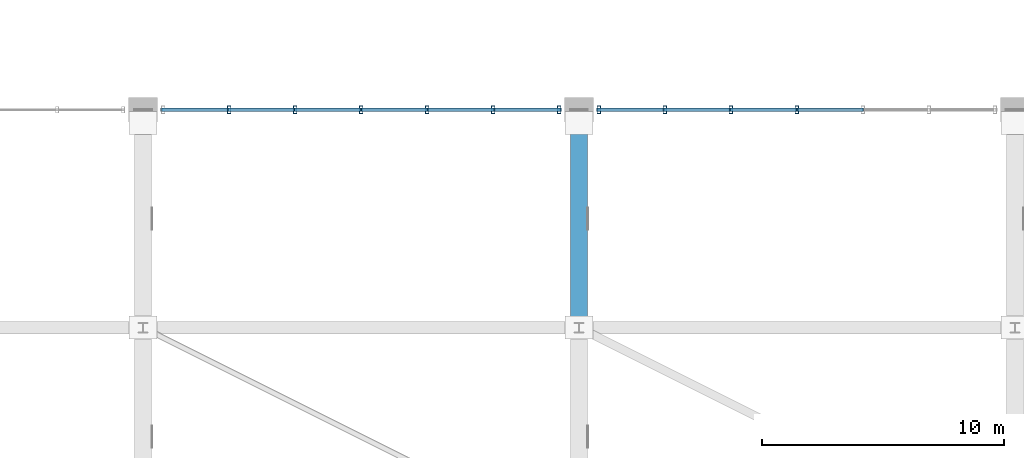
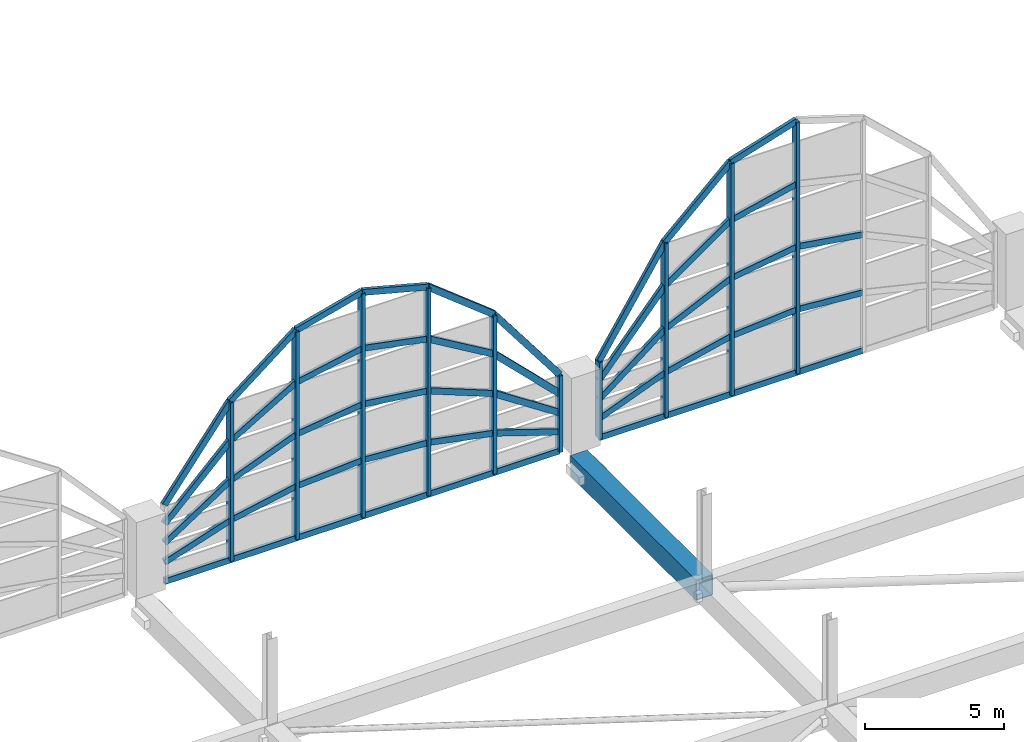
# One storey, part 44 of 116: 58 members, 1 beam, 2 elements without a shape of their own.
"""IFC4 building model written with IfcOpenShell, lengths in metres."""

from ifc_helpers import new_model, si_unit, direction, frame, origin, origin_2d, place, context, subcontext, project, spatial, hollow_rectangle, extrude, material, material_profile, profile_set, type_object, element, aggregate, save


model = new_model("IFC4")

# Units and contexts
model_context = context("Model", 3, precision=1e-05, world=origin(), true_north=direction((0.0, 1.0)))
body_context = subcontext(model_context, "Body", "Model", "MODEL_VIEW")
ifc_project = project(units=[si_unit("LENGTHUNIT", "METRE"), si_unit("AREAUNIT", "SQUARE_METRE"), si_unit("VOLUMEUNIT", "CUBIC_METRE"), si_unit("PLANEANGLEUNIT", "RADIAN"), si_unit("MASSUNIT", "GRAM", prefix="KILO")], contexts=[model_context])

# Site, building, storey
site_placement = place(None, origin())
site = spatial("IfcSite", under=ifc_project, at=site_placement, CompositionType="ELEMENT")
building_placement = place(site_placement, origin())
building = spatial("IfcBuilding", under=site, at=building_placement, Name="Chuanluo Vaults Station", CompositionType="ELEMENT")
storey_placement = place(building_placement, frame((0.0, 0.0, 10.800048828125)))
storey = spatial("IfcBuildingStorey", under=building, at=storey_placement, Name="L02", CompositionType="ELEMENT", Elevation=10.800048828125)

# Beam
ifc_material_1 = material(Name="Steel Q390C", Category="steel")
ifc_material_profile_1 = material_profile(ifc_material_1, hollow_rectangle(XDim=0.699951171875, YDim=0.89990234375, WallThickness=0.035888671875, at=origin_2d()))
ifc_profile_set_1 = profile_set([ifc_material_profile_1], Name="Steel Q390C")
beam_type = type_object("IfcBeamType", Name="BM-TT-TOP", PredefinedType="USERDEFINED", material=ifc_profile_set_1)
beam_placement = place(storey_placement, frame((36.0, 94.5, -0.85009765625), z_axis=(0.0, 1.0, 0.0), x_axis=(-1.0, 0.0, 0.0)))
element("IfcBeam", 1, at=beam_placement, inside=storey, type_object=beam_type, Name="Transfer truss TT-3 top chord 4", ObjectType="GIRDER", PredefinedType="USERDEFINED", context=body_context, shape_type="SweptSolid", body=[
    extrude(hollow_rectangle(XDim=0.699951171875, YDim=0.89990234375, WallThickness=0.035888671875, at=origin_2d()), origin(), (0.0, 0.0, 1.0), 9.0),
])

# Curtain wall, members
ifc_material_2 = material(Name="Anodised aluminium 6063-T6", Category="aluminium")
curtain_wall_type_1 = type_object("IfcCurtainWallType", Name="CW-SYS-05", PredefinedType="NOTDEFINED", material=ifc_material_2)
curtain_wall_1_placement = place(storey_placement, origin())
curtain_wall_1 = element("IfcCurtainWall", 2, at=curtain_wall_1_placement, inside=storey, type_object=curtain_wall_type_1, Name="Vault V2 north arched curtain wall", PredefinedType="NOTDEFINED")
ifc_material_3 = material(Name="Anodised aluminium 6063-T6", Category="aluminium")
ifc_material_profile_2 = material_profile(ifc_material_3, hollow_rectangle(XDim=0.139892578125, YDim=0.320068359375, WallThickness=0.008056640625, at=origin_2d()))
ifc_profile_set_2 = profile_set([ifc_material_profile_2], Name="Anodised aluminium 6063-T6")
member_type_1 = type_object("IfcMemberType", Name="CWM-220", PredefinedType="MULLION", material=ifc_profile_set_2)
member_1_placement = place(storey_placement, frame((21.550048828125, 103.5, 0.0), z_axis=(0.0, 0.0, 1.0), x_axis=(1.0, 0.0, 0.0)))
member_1 = element("IfcMember", 3, at=member_1_placement, type_object=member_type_1, Name="Vault V2 north arched curtain wall mullion 2", PredefinedType="MULLION", context=body_context, shape_type="SweptSolid", body=[
    extrude(hollow_rectangle(XDim=0.139892578125, YDim=0.320068359375, WallThickness=0.008056640625, at=origin_2d()), origin(), (0.0, 0.0, 1.0), 6.933349609375),
])
member_2_placement = place(storey_placement, frame((24.27490234375, 103.5, 0.0), z_axis=(0.0, 0.0, 1.0), x_axis=(1.0, 0.0, 0.0)))
member_2 = element("IfcMember", 4, at=member_2_placement, type_object=member_type_1, Name="Vault V2 north arched curtain wall mullion 3", PredefinedType="MULLION", context=body_context, shape_type="SweptSolid", body=[
    extrude(hollow_rectangle(XDim=0.139892578125, YDim=0.320068359375, WallThickness=0.008056640625, at=origin_2d()), origin(), (0.0, 0.0, 1.0), 9.083251953125),
])
member_3_placement = place(storey_placement, frame((27.0, 103.5, 0.0), z_axis=(0.0, 0.0, 1.0), x_axis=(1.0, 0.0, 0.0)))
member_3 = element("IfcMember", 5, at=member_3_placement, type_object=member_type_1, Name="Vault V2 north arched curtain wall mullion 4", PredefinedType="MULLION", context=body_context, shape_type="SweptSolid", body=[
    extrude(hollow_rectangle(XDim=0.139892578125, YDim=0.320068359375, WallThickness=0.008056640625, at=origin_2d()), origin(), (0.0, 0.0, 1.0), 9.800048828125),
])
member_4_placement = place(storey_placement, frame((29.72509765625, 103.5, 0.0), z_axis=(0.0, 0.0, 1.0), x_axis=(1.0, 0.0, 0.0)))
member_4 = element("IfcMember", 6, at=member_4_placement, type_object=member_type_1, Name="Vault V2 north arched curtain wall mullion 5", PredefinedType="MULLION", context=body_context, shape_type="SweptSolid", body=[
    extrude(hollow_rectangle(XDim=0.139892578125, YDim=0.320068359375, WallThickness=0.008056640625, at=origin_2d()), origin(), (0.0, 0.0, 1.0), 9.083251953125),
])
member_5_placement = place(storey_placement, frame((32.449951171875, 103.5, 0.0), z_axis=(0.0, 0.0, 1.0), x_axis=(1.0, 0.0, 0.0)))
member_5 = element("IfcMember", 7, at=member_5_placement, type_object=member_type_1, Name="Vault V2 north arched curtain wall mullion 6", PredefinedType="MULLION", context=body_context, shape_type="SweptSolid", body=[
    extrude(hollow_rectangle(XDim=0.139892578125, YDim=0.320068359375, WallThickness=0.008056640625, at=origin_2d()), origin(), (0.0, 0.0, 1.0), 6.933349609375),
])
member_6_placement = place(storey_placement, frame((35.175048828125, 103.5, 0.0), z_axis=(0.0, 0.0, 1.0), x_axis=(1.0, 0.0, 0.0)))
member_6 = element("IfcMember", 8, at=member_6_placement, type_object=member_type_1, Name="Vault V2 north arched curtain wall mullion 7", PredefinedType="MULLION", context=body_context, shape_type="SweptSolid", body=[
    extrude(hollow_rectangle(XDim=0.139892578125, YDim=0.320068359375, WallThickness=0.008056640625, at=origin_2d()), origin(), (0.0, 0.0, 1.0), 3.349853515625),
])

ifc_material_4 = material(Name="Anodised aluminium 6063-T6", Category="aluminium")
curtain_wall_type_2 = type_object("IfcCurtainWallType", Name="CW-SYS-09", PredefinedType="NOTDEFINED", material=ifc_material_4)
curtain_wall_2_placement = place(storey_placement, origin())
curtain_wall_2 = element("IfcCurtainWall", 9, at=curtain_wall_2_placement, inside=storey, type_object=curtain_wall_type_2, Name="Vault V3 north arched curtain wall", PredefinedType="NOTDEFINED")
member_7_placement = place(storey_placement, frame((36.824951171875, 103.5, 0.0), z_axis=(0.0, 0.0, 1.0), x_axis=(1.0, 0.0, 0.0)))
member_7 = element("IfcMember", 10, at=member_7_placement, type_object=member_type_1, Name="Vault V3 north arched curtain wall mullion 1", PredefinedType="MULLION", context=body_context, shape_type="SweptSolid", body=[
    extrude(hollow_rectangle(XDim=0.139892578125, YDim=0.320068359375, WallThickness=0.008056640625, at=origin_2d()), origin(), (0.0, 0.0, 1.0), 3.349853515625),
])
member_8_placement = place(storey_placement, frame((39.550048828125, 103.5, 0.0), z_axis=(0.0, 0.0, 1.0), x_axis=(1.0, 0.0, 0.0)))
member_8 = element("IfcMember", 11, at=member_8_placement, type_object=member_type_1, Name="Vault V3 north arched curtain wall mullion 2", PredefinedType="MULLION", context=body_context, shape_type="SweptSolid", body=[
    extrude(hollow_rectangle(XDim=0.139892578125, YDim=0.320068359375, WallThickness=0.008056640625, at=origin_2d()), origin(), (0.0, 0.0, 1.0), 7.599853515625),
])
member_9_placement = place(storey_placement, frame((42.27490234375, 103.5, 0.0), z_axis=(0.0, 0.0, 1.0), x_axis=(1.0, 0.0, 0.0)))
member_9 = element("IfcMember", 12, at=member_9_placement, type_object=member_type_1, Name="Vault V3 north arched curtain wall mullion 3", PredefinedType="MULLION", context=body_context, shape_type="SweptSolid", body=[
    extrude(hollow_rectangle(XDim=0.139892578125, YDim=0.320068359375, WallThickness=0.008056640625, at=origin_2d()), origin(), (0.0, 0.0, 1.0), 10.14990234375),
])
member_10_placement = place(storey_placement, frame((45.0, 103.5, 0.0), z_axis=(0.0, 0.0, 1.0), x_axis=(1.0, 0.0, 0.0)))
member_10 = element("IfcMember", 13, at=member_10_placement, type_object=member_type_1, Name="Vault V3 north arched curtain wall mullion 4", PredefinedType="MULLION", context=body_context, shape_type="SweptSolid", body=[
    extrude(hollow_rectangle(XDim=0.139892578125, YDim=0.320068359375, WallThickness=0.008056640625, at=origin_2d()), origin(), (0.0, 0.0, 1.0), 11.0),
])

# Member
ifc_material_5 = material(Name="Anodised aluminium 6063-T6", Category="aluminium")
ifc_material_profile_3 = material_profile(ifc_material_5, hollow_rectangle(XDim=0.139892578125, YDim=0.260009765625, WallThickness=0.007080078125, at=origin_2d()))
ifc_profile_set_3 = profile_set([ifc_material_profile_3], Name="Anodised aluminium 6063-T6")
member_type_2 = type_object("IfcMemberType", Name="CWT-180", PredefinedType="USERDEFINED", material=ifc_profile_set_3)
member_11_placement = place(storey_placement, frame((18.824951171875, 103.5, 0.0), z_axis=(1.0, 0.0, 0.0), x_axis=(0.0, 1.0, 0.0)))
member_11 = element("IfcMember", 14, at=member_11_placement, type_object=member_type_2, Name="Vault V2 north arched curtain wall transom 1.1", ObjectType="TRANSOM", PredefinedType="USERDEFINED", context=body_context, shape_type="SweptSolid", body=[
    extrude(hollow_rectangle(XDim=0.139892578125, YDim=0.260009765625, WallThickness=0.007080078125, at=origin_2d()), origin(), (0.0, 0.0, 1.0), 2.72509765625),
])

member_12_placement = place(storey_placement, frame((18.824951171875, 103.5, 0.83740234375), z_axis=(0.949994243133, 0.0, 0.312267414268), x_axis=(0.0, 1.0, 0.0)))
member_12 = element("IfcMember", 15, at=member_12_placement, type_object=member_type_2, Name="Vault V2 north arched curtain wall transom 1.2", ObjectType="TRANSOM", PredefinedType="USERDEFINED", context=body_context, shape_type="SweptSolid", body=[
    extrude(hollow_rectangle(XDim=0.139892578125, YDim=0.260009765625, WallThickness=0.007080078125, at=origin_2d()), origin(), (0.0, 0.0, 1.0), 2.86865234375),
])

member_13_placement = place(storey_placement, frame((18.824951171875, 103.5, 1.675048828125), z_axis=(0.835603373721, 0.0, 0.549333233862), x_axis=(0.0, 1.0, 0.0)))
member_13 = element("IfcMember", 16, at=member_13_placement, type_object=member_type_2, Name="Vault V2 north arched curtain wall transom 1.3", ObjectType="TRANSOM", PredefinedType="USERDEFINED", context=body_context, shape_type="SweptSolid", body=[
    extrude(hollow_rectangle(XDim=0.139892578125, YDim=0.260009765625, WallThickness=0.007080078125, at=origin_2d()), origin(), (0.0, 0.0, 1.0), 3.26123046875),
])

member_14_placement = place(storey_placement, frame((18.824951171875, 103.5, 2.512451171875), z_axis=(0.712001396563, 0.0, 0.702178048142), x_axis=(0.0, 1.0, 0.0)))
member_14 = element("IfcMember", 17, at=member_14_placement, type_object=member_type_2, Name="Vault V2 north arched curtain wall transom 1.4", ObjectType="TRANSOM", PredefinedType="USERDEFINED", context=body_context, shape_type="SweptSolid", body=[
    extrude(hollow_rectangle(XDim=0.139892578125, YDim=0.260009765625, WallThickness=0.007080078125, at=origin_2d()), origin(), (0.0, 0.0, 1.0), 3.827392578125),
])

member_15_placement = place(storey_placement, frame((18.824951171875, 103.5, 3.349853515625), z_axis=(0.605314241676, 0.0, 0.795986600907), x_axis=(0.0, 1.0, 0.0)))
member_15 = element("IfcMember", 18, at=member_15_placement, type_object=member_type_2, Name="Vault V2 north arched curtain wall transom 1.5", ObjectType="TRANSOM", PredefinedType="USERDEFINED", context=body_context, shape_type="SweptSolid", body=[
    extrude(hollow_rectangle(XDim=0.139892578125, YDim=0.260009765625, WallThickness=0.007080078125, at=origin_2d()), origin(), (0.0, 0.0, 1.0), 4.501953125),
])

member_16_placement = place(storey_placement, frame((21.550048828125, 103.5, 0.0), z_axis=(1.0, 0.0, 0.0), x_axis=(0.0, 1.0, 0.0)))
member_16 = element("IfcMember", 19, at=member_16_placement, type_object=member_type_2, Name="Vault V2 north arched curtain wall transom 2.1", ObjectType="TRANSOM", PredefinedType="USERDEFINED", context=body_context, shape_type="SweptSolid", body=[
    extrude(hollow_rectangle(XDim=0.139892578125, YDim=0.260009765625, WallThickness=0.007080078125, at=origin_2d()), origin(), (0.0, 0.0, 1.0), 2.724853515625),
])

member_17_placement = place(storey_placement, frame((21.550048828125, 103.5, 1.733154296875), z_axis=(0.98108786822, 0.0, 0.193562896319), x_axis=(0.0, 1.0, 0.0)))
member_17 = element("IfcMember", 20, at=member_17_placement, type_object=member_type_2, Name="Vault V2 north arched curtain wall transom 2.2", ObjectType="TRANSOM", PredefinedType="USERDEFINED", context=body_context, shape_type="SweptSolid", body=[
    extrude(hollow_rectangle(XDim=0.139892578125, YDim=0.260009765625, WallThickness=0.007080078125, at=origin_2d()), origin(), (0.0, 0.0, 1.0), 2.77734375),
])

member_18_placement = place(storey_placement, frame((21.550048828125, 103.5, 3.466552734375), z_axis=(0.930230857681, 0.0, 0.36697486483), x_axis=(0.0, 1.0, 0.0)))
member_18 = element("IfcMember", 21, at=member_18_placement, type_object=member_type_2, Name="Vault V2 north arched curtain wall transom 2.3", ObjectType="TRANSOM", PredefinedType="USERDEFINED", context=body_context, shape_type="SweptSolid", body=[
    extrude(hollow_rectangle(XDim=0.139892578125, YDim=0.260009765625, WallThickness=0.007080078125, at=origin_2d()), origin(), (0.0, 0.0, 1.0), 2.92919921875),
])

member_19_placement = place(storey_placement, frame((21.550048828125, 103.5, 5.199951171875), z_axis=(0.860593235916, 0.0, 0.509292923862), x_axis=(0.0, 1.0, 0.0)))
member_19 = element("IfcMember", 22, at=member_19_placement, type_object=member_type_2, Name="Vault V2 north arched curtain wall transom 2.4", ObjectType="TRANSOM", PredefinedType="USERDEFINED", context=body_context, shape_type="SweptSolid", body=[
    extrude(hollow_rectangle(XDim=0.139892578125, YDim=0.260009765625, WallThickness=0.007080078125, at=origin_2d()), origin(), (0.0, 0.0, 1.0), 3.166259765625),
])

member_20_placement = place(storey_placement, frame((21.550048828125, 103.5, 6.933349609375), z_axis=(0.785064583403, 0.0, 0.619413916445), x_axis=(0.0, 1.0, 0.0)))
member_20 = element("IfcMember", 23, at=member_20_placement, type_object=member_type_2, Name="Vault V2 north arched curtain wall transom 2.5", ObjectType="TRANSOM", PredefinedType="USERDEFINED", context=body_context, shape_type="SweptSolid", body=[
    extrude(hollow_rectangle(XDim=0.139892578125, YDim=0.260009765625, WallThickness=0.007080078125, at=origin_2d()), origin(), (0.0, 0.0, 1.0), 3.470947265625),
])

member_21_placement = place(storey_placement, frame((24.27490234375, 103.5, 0.0), z_axis=(1.0, 0.0, 0.0), x_axis=(0.0, 1.0, 0.0)))
member_21 = element("IfcMember", 24, at=member_21_placement, type_object=member_type_2, Name="Vault V2 north arched curtain wall transom 3.1", ObjectType="TRANSOM", PredefinedType="USERDEFINED", context=body_context, shape_type="SweptSolid", body=[
    extrude(hollow_rectangle(XDim=0.139892578125, YDim=0.260009765625, WallThickness=0.007080078125, at=origin_2d()), origin(), (0.0, 0.0, 1.0), 2.72509765625),
])

member_22_placement = place(storey_placement, frame((24.27490234375, 103.5, 2.270751953125), z_axis=(0.997844875411, 0.0, 0.065617106124), x_axis=(0.0, 1.0, 0.0)))
member_22 = element("IfcMember", 25, at=member_22_placement, type_object=member_type_2, Name="Vault V2 north arched curtain wall transom 3.2", ObjectType="TRANSOM", PredefinedType="USERDEFINED", context=body_context, shape_type="SweptSolid", body=[
    extrude(hollow_rectangle(XDim=0.139892578125, YDim=0.260009765625, WallThickness=0.007080078125, at=origin_2d()), origin(), (0.0, 0.0, 1.0), 2.73095703125),
])

member_23_placement = place(storey_placement, frame((24.27490234375, 103.5, 4.54150390625), z_axis=(0.991462154342, 0.0, 0.130394771777), x_axis=(0.0, 1.0, 0.0)))
member_23 = element("IfcMember", 26, at=member_23_placement, type_object=member_type_2, Name="Vault V2 north arched curtain wall transom 3.3", ObjectType="TRANSOM", PredefinedType="USERDEFINED", context=body_context, shape_type="SweptSolid", body=[
    extrude(hollow_rectangle(XDim=0.139892578125, YDim=0.260009765625, WallThickness=0.007080078125, at=origin_2d()), origin(), (0.0, 0.0, 1.0), 2.74853515625),
])

member_24_placement = place(storey_placement, frame((24.27490234375, 103.5, 6.8125), z_axis=(0.981107848058, 0.0, 0.193461599496), x_axis=(0.0, 1.0, 0.0)))
member_24 = element("IfcMember", 27, at=member_24_placement, type_object=member_type_2, Name="Vault V2 north arched curtain wall transom 3.4", ObjectType="TRANSOM", PredefinedType="USERDEFINED", context=body_context, shape_type="SweptSolid", body=[
    extrude(hollow_rectangle(XDim=0.139892578125, YDim=0.260009765625, WallThickness=0.007080078125, at=origin_2d()), origin(), (0.0, 0.0, 1.0), 2.777587890625),
])

member_25_placement = place(storey_placement, frame((24.27490234375, 103.5, 9.083251953125), z_axis=(0.967103711026, 0.0, 0.254382413149), x_axis=(0.0, 1.0, 0.0)))
member_25 = element("IfcMember", 28, at=member_25_placement, type_object=member_type_2, Name="Vault V2 north arched curtain wall transom 3.5", ObjectType="TRANSOM", PredefinedType="USERDEFINED", context=body_context, shape_type="SweptSolid", body=[
    extrude(hollow_rectangle(XDim=0.139892578125, YDim=0.260009765625, WallThickness=0.007080078125, at=origin_2d()), origin(), (0.0, 0.0, 1.0), 2.81787109375),
])

member_26_placement = place(storey_placement, frame((27.0, 103.5, 0.0), z_axis=(1.0, 0.0, 0.0), x_axis=(0.0, 1.0, 0.0)))
member_26 = element("IfcMember", 29, at=member_26_placement, type_object=member_type_2, Name="Vault V2 north arched curtain wall transom 4.1", ObjectType="TRANSOM", PredefinedType="USERDEFINED", context=body_context, shape_type="SweptSolid", body=[
    extrude(hollow_rectangle(XDim=0.139892578125, YDim=0.260009765625, WallThickness=0.007080078125, at=origin_2d()), origin(), (0.0, 0.0, 1.0), 2.72509765625),
])

member_27_placement = place(storey_placement, frame((27.0, 103.5, 2.449951171875), z_axis=(0.997844875411, 0.0, -0.065617106124), x_axis=(0.0, 1.0, 0.0)))
member_27 = element("IfcMember", 30, at=member_27_placement, type_object=member_type_2, Name="Vault V2 north arched curtain wall transom 4.2", ObjectType="TRANSOM", PredefinedType="USERDEFINED", context=body_context, shape_type="SweptSolid", body=[
    extrude(hollow_rectangle(XDim=0.139892578125, YDim=0.260009765625, WallThickness=0.007080078125, at=origin_2d()), origin(), (0.0, 0.0, 1.0), 2.73095703125),
])

member_28_placement = place(storey_placement, frame((27.0, 103.5, 4.89990234375), z_axis=(0.991462154342, 0.0, -0.130394771777), x_axis=(0.0, 1.0, 0.0)))
member_28 = element("IfcMember", 31, at=member_28_placement, type_object=member_type_2, Name="Vault V2 north arched curtain wall transom 4.3", ObjectType="TRANSOM", PredefinedType="USERDEFINED", context=body_context, shape_type="SweptSolid", body=[
    extrude(hollow_rectangle(XDim=0.139892578125, YDim=0.260009765625, WallThickness=0.007080078125, at=origin_2d()), origin(), (0.0, 0.0, 1.0), 2.74853515625),
])

member_29_placement = place(storey_placement, frame((27.0, 103.5, 7.349853515625), z_axis=(0.981107848058, 0.0, -0.193461599496), x_axis=(0.0, 1.0, 0.0)))
member_29 = element("IfcMember", 32, at=member_29_placement, type_object=member_type_2, Name="Vault V2 north arched curtain wall transom 4.4", ObjectType="TRANSOM", PredefinedType="USERDEFINED", context=body_context, shape_type="SweptSolid", body=[
    extrude(hollow_rectangle(XDim=0.139892578125, YDim=0.260009765625, WallThickness=0.007080078125, at=origin_2d()), origin(), (0.0, 0.0, 1.0), 2.777587890625),
])

member_30_placement = place(storey_placement, frame((27.0, 103.5, 9.800048828125), z_axis=(0.967103711026, 0.0, -0.254382413149), x_axis=(0.0, 1.0, 0.0)))
member_30 = element("IfcMember", 33, at=member_30_placement, type_object=member_type_2, Name="Vault V2 north arched curtain wall transom 4.5", ObjectType="TRANSOM", PredefinedType="USERDEFINED", context=body_context, shape_type="SweptSolid", body=[
    extrude(hollow_rectangle(XDim=0.139892578125, YDim=0.260009765625, WallThickness=0.007080078125, at=origin_2d()), origin(), (0.0, 0.0, 1.0), 2.81787109375),
])

member_31_placement = place(storey_placement, frame((29.72509765625, 103.5, 0.0), z_axis=(1.0, 0.0, 0.0), x_axis=(0.0, 1.0, 0.0)))
member_31 = element("IfcMember", 34, at=member_31_placement, type_object=member_type_2, Name="Vault V2 north arched curtain wall transom 5.1", ObjectType="TRANSOM", PredefinedType="USERDEFINED", context=body_context, shape_type="SweptSolid", body=[
    extrude(hollow_rectangle(XDim=0.139892578125, YDim=0.260009765625, WallThickness=0.007080078125, at=origin_2d()), origin(), (0.0, 0.0, 1.0), 2.724853515625),
])

member_32_placement = place(storey_placement, frame((29.72509765625, 103.5, 2.270751953125), z_axis=(0.98108786822, 0.0, -0.193562896319), x_axis=(0.0, 1.0, 0.0)))
member_32 = element("IfcMember", 35, at=member_32_placement, type_object=member_type_2, Name="Vault V2 north arched curtain wall transom 5.2", ObjectType="TRANSOM", PredefinedType="USERDEFINED", context=body_context, shape_type="SweptSolid", body=[
    extrude(hollow_rectangle(XDim=0.139892578125, YDim=0.260009765625, WallThickness=0.007080078125, at=origin_2d()), origin(), (0.0, 0.0, 1.0), 2.77734375),
])

member_33_placement = place(storey_placement, frame((29.72509765625, 103.5, 4.54150390625), z_axis=(0.930230857681, 0.0, -0.36697486483), x_axis=(0.0, 1.0, 0.0)))
member_33 = element("IfcMember", 36, at=member_33_placement, type_object=member_type_2, Name="Vault V2 north arched curtain wall transom 5.3", ObjectType="TRANSOM", PredefinedType="USERDEFINED", context=body_context, shape_type="SweptSolid", body=[
    extrude(hollow_rectangle(XDim=0.139892578125, YDim=0.260009765625, WallThickness=0.007080078125, at=origin_2d()), origin(), (0.0, 0.0, 1.0), 2.92919921875),
])

member_34_placement = place(storey_placement, frame((29.72509765625, 103.5, 6.8125), z_axis=(0.860593235916, 0.0, -0.509292923862), x_axis=(0.0, 1.0, 0.0)))
member_34 = element("IfcMember", 37, at=member_34_placement, type_object=member_type_2, Name="Vault V2 north arched curtain wall transom 5.4", ObjectType="TRANSOM", PredefinedType="USERDEFINED", context=body_context, shape_type="SweptSolid", body=[
    extrude(hollow_rectangle(XDim=0.139892578125, YDim=0.260009765625, WallThickness=0.007080078125, at=origin_2d()), origin(), (0.0, 0.0, 1.0), 3.166259765625),
])

member_35_placement = place(storey_placement, frame((29.72509765625, 103.5, 9.083251953125), z_axis=(0.785064583403, 0.0, -0.619413916445), x_axis=(0.0, 1.0, 0.0)))
member_35 = element("IfcMember", 38, at=member_35_placement, type_object=member_type_2, Name="Vault V2 north arched curtain wall transom 5.5", ObjectType="TRANSOM", PredefinedType="USERDEFINED", context=body_context, shape_type="SweptSolid", body=[
    extrude(hollow_rectangle(XDim=0.139892578125, YDim=0.260009765625, WallThickness=0.007080078125, at=origin_2d()), origin(), (0.0, 0.0, 1.0), 3.470947265625),
])

member_36_placement = place(storey_placement, frame((32.449951171875, 103.5, 0.0), z_axis=(1.0, 0.0, 0.0), x_axis=(0.0, 1.0, 0.0)))
member_36 = element("IfcMember", 39, at=member_36_placement, type_object=member_type_2, Name="Vault V2 north arched curtain wall transom 6.1", ObjectType="TRANSOM", PredefinedType="USERDEFINED", context=body_context, shape_type="SweptSolid", body=[
    extrude(hollow_rectangle(XDim=0.139892578125, YDim=0.260009765625, WallThickness=0.007080078125, at=origin_2d()), origin(), (0.0, 0.0, 1.0), 2.72509765625),
])

member_37_placement = place(storey_placement, frame((32.449951171875, 103.5, 1.733154296875), z_axis=(0.949994243133, 0.0, -0.312267414268), x_axis=(0.0, 1.0, 0.0)))
member_37 = element("IfcMember", 40, at=member_37_placement, type_object=member_type_2, Name="Vault V2 north arched curtain wall transom 6.2", ObjectType="TRANSOM", PredefinedType="USERDEFINED", context=body_context, shape_type="SweptSolid", body=[
    extrude(hollow_rectangle(XDim=0.139892578125, YDim=0.260009765625, WallThickness=0.007080078125, at=origin_2d()), origin(), (0.0, 0.0, 1.0), 2.86865234375),
])

member_38_placement = place(storey_placement, frame((32.449951171875, 103.5, 3.466552734375), z_axis=(0.835603373721, 0.0, -0.549333233862), x_axis=(0.0, 1.0, 0.0)))
member_38 = element("IfcMember", 41, at=member_38_placement, type_object=member_type_2, Name="Vault V2 north arched curtain wall transom 6.3", ObjectType="TRANSOM", PredefinedType="USERDEFINED", context=body_context, shape_type="SweptSolid", body=[
    extrude(hollow_rectangle(XDim=0.139892578125, YDim=0.260009765625, WallThickness=0.007080078125, at=origin_2d()), origin(), (0.0, 0.0, 1.0), 3.26123046875),
])

member_39_placement = place(storey_placement, frame((32.449951171875, 103.5, 5.199951171875), z_axis=(0.712001396563, 0.0, -0.702178048142), x_axis=(0.0, 1.0, 0.0)))
member_39 = element("IfcMember", 42, at=member_39_placement, type_object=member_type_2, Name="Vault V2 north arched curtain wall transom 6.4", ObjectType="TRANSOM", PredefinedType="USERDEFINED", context=body_context, shape_type="SweptSolid", body=[
    extrude(hollow_rectangle(XDim=0.139892578125, YDim=0.260009765625, WallThickness=0.007080078125, at=origin_2d()), origin(), (0.0, 0.0, 1.0), 3.827392578125),
])

member_40_placement = place(storey_placement, frame((32.449951171875, 103.5, 6.933349609375), z_axis=(0.605314241676, 0.0, -0.795986600907), x_axis=(0.0, 1.0, 0.0)))
member_40 = element("IfcMember", 43, at=member_40_placement, type_object=member_type_2, Name="Vault V2 north arched curtain wall transom 6.5", ObjectType="TRANSOM", PredefinedType="USERDEFINED", context=body_context, shape_type="SweptSolid", body=[
    extrude(hollow_rectangle(XDim=0.139892578125, YDim=0.260009765625, WallThickness=0.007080078125, at=origin_2d()), origin(), (0.0, 0.0, 1.0), 4.501953125),
])

aggregate(curtain_wall_1, [member_1, member_2, member_3, member_4, member_5, member_6, member_11, member_12, member_13, member_14, member_15, member_16, member_17, member_18, member_19, member_20, member_21, member_22, member_23, member_24, member_25, member_26, member_27, member_28, member_29, member_30, member_31, member_32, member_33, member_34, member_35, member_36, member_37, member_38, member_39, member_40])

member_41_placement = place(storey_placement, frame((36.824951171875, 103.5, 0.0), z_axis=(1.0, 0.0, 0.0), x_axis=(0.0, 1.0, 0.0)))
member_41 = element("IfcMember", 44, at=member_41_placement, type_object=member_type_2, Name="Vault V3 north arched curtain wall transom 1.1", ObjectType="TRANSOM", PredefinedType="USERDEFINED", context=body_context, shape_type="SweptSolid", body=[
    extrude(hollow_rectangle(XDim=0.139892578125, YDim=0.260009765625, WallThickness=0.007080078125, at=origin_2d()), origin(), (0.0, 0.0, 1.0), 2.72509765625),
])

member_42_placement = place(storey_placement, frame((36.824951171875, 103.5, 0.83740234375), z_axis=(0.931687892664, 0.0, 0.363259783988), x_axis=(0.0, 1.0, 0.0)))
member_42 = element("IfcMember", 45, at=member_42_placement, type_object=member_type_2, Name="Vault V3 north arched curtain wall transom 1.2", ObjectType="TRANSOM", PredefinedType="USERDEFINED", context=body_context, shape_type="SweptSolid", body=[
    extrude(hollow_rectangle(XDim=0.139892578125, YDim=0.260009765625, WallThickness=0.007080078125, at=origin_2d()), origin(), (0.0, 0.0, 1.0), 2.9248046875),
])

member_43_placement = place(storey_placement, frame((36.824951171875, 103.5, 1.675048828125), z_axis=(0.788583156277, 0.0, 0.614928130464), x_axis=(0.0, 1.0, 0.0)))
member_43 = element("IfcMember", 46, at=member_43_placement, type_object=member_type_2, Name="Vault V3 north arched curtain wall transom 1.3", ObjectType="TRANSOM", PredefinedType="USERDEFINED", context=body_context, shape_type="SweptSolid", body=[
    extrude(hollow_rectangle(XDim=0.139892578125, YDim=0.260009765625, WallThickness=0.007080078125, at=origin_2d()), origin(), (0.0, 0.0, 1.0), 3.45556640625),
])

member_44_placement = place(storey_placement, frame((36.824951171875, 103.5, 2.512451171875), z_axis=(0.649822380818, 0.0, 0.760086096037), x_axis=(0.0, 1.0, 0.0)))
member_44 = element("IfcMember", 47, at=member_44_placement, type_object=member_type_2, Name="Vault V3 north arched curtain wall transom 1.4", ObjectType="TRANSOM", PredefinedType="USERDEFINED", context=body_context, shape_type="SweptSolid", body=[
    extrude(hollow_rectangle(XDim=0.139892578125, YDim=0.260009765625, WallThickness=0.007080078125, at=origin_2d()), origin(), (0.0, 0.0, 1.0), 4.193603515625),
])

member_45_placement = place(storey_placement, frame((36.824951171875, 103.5, 3.349853515625), z_axis=(0.539769811752, 0.0, 0.841812657497), x_axis=(0.0, 1.0, 0.0)))
member_45 = element("IfcMember", 48, at=member_45_placement, type_object=member_type_2, Name="Vault V3 north arched curtain wall transom 1.5", ObjectType="TRANSOM", PredefinedType="USERDEFINED", context=body_context, shape_type="SweptSolid", body=[
    extrude(hollow_rectangle(XDim=0.139892578125, YDim=0.260009765625, WallThickness=0.007080078125, at=origin_2d()), origin(), (0.0, 0.0, 1.0), 5.048583984375),
])

member_46_placement = place(storey_placement, frame((39.550048828125, 103.5, 0.0), z_axis=(1.0, 0.0, 0.0), x_axis=(0.0, 1.0, 0.0)))
member_46 = element("IfcMember", 49, at=member_46_placement, type_object=member_type_2, Name="Vault V3 north arched curtain wall transom 2.1", ObjectType="TRANSOM", PredefinedType="USERDEFINED", context=body_context, shape_type="SweptSolid", body=[
    extrude(hollow_rectangle(XDim=0.139892578125, YDim=0.260009765625, WallThickness=0.007080078125, at=origin_2d()), origin(), (0.0, 0.0, 1.0), 2.724853515625),
])

member_47_placement = place(storey_placement, frame((39.550048828125, 103.5, 1.89990234375), z_axis=(0.973710415309, 0.0, 0.227789435926), x_axis=(0.0, 1.0, 0.0)))
member_47 = element("IfcMember", 50, at=member_47_placement, type_object=member_type_2, Name="Vault V3 north arched curtain wall transom 2.2", ObjectType="TRANSOM", PredefinedType="USERDEFINED", context=body_context, shape_type="SweptSolid", body=[
    extrude(hollow_rectangle(XDim=0.139892578125, YDim=0.260009765625, WallThickness=0.007080078125, at=origin_2d()), origin(), (0.0, 0.0, 1.0), 2.79833984375),
])

member_48_placement = place(storey_placement, frame((39.550048828125, 103.5, 3.800048828125), z_axis=(0.905761814953, 0.0, 0.423787133562), x_axis=(0.0, 1.0, 0.0)))
member_48 = element("IfcMember", 51, at=member_48_placement, type_object=member_type_2, Name="Vault V3 north arched curtain wall transom 2.3", ObjectType="TRANSOM", PredefinedType="USERDEFINED", context=body_context, shape_type="SweptSolid", body=[
    extrude(hollow_rectangle(XDim=0.139892578125, YDim=0.260009765625, WallThickness=0.007080078125, at=origin_2d()), origin(), (0.0, 0.0, 1.0), 3.00830078125),
])

member_49_placement = place(storey_placement, frame((39.550048828125, 103.5, 5.699951171875), z_axis=(0.818497402658, 0.0, 0.574510227795), x_axis=(0.0, 1.0, 0.0)))
member_49 = element("IfcMember", 52, at=member_49_placement, type_object=member_type_2, Name="Vault V3 north arched curtain wall transom 2.4", ObjectType="TRANSOM", PredefinedType="USERDEFINED", context=body_context, shape_type="SweptSolid", body=[
    extrude(hollow_rectangle(XDim=0.139892578125, YDim=0.260009765625, WallThickness=0.007080078125, at=origin_2d()), origin(), (0.0, 0.0, 1.0), 3.3291015625),
])

member_50_placement = place(storey_placement, frame((39.550048828125, 103.5, 7.599853515625), z_axis=(0.730138747067, 0.0, 0.683298917043), x_axis=(0.0, 1.0, 0.0)))
member_50 = element("IfcMember", 53, at=member_50_placement, type_object=member_type_2, Name="Vault V3 north arched curtain wall transom 2.5", ObjectType="TRANSOM", PredefinedType="USERDEFINED", context=body_context, shape_type="SweptSolid", body=[
    extrude(hollow_rectangle(XDim=0.139892578125, YDim=0.260009765625, WallThickness=0.007080078125, at=origin_2d()), origin(), (0.0, 0.0, 1.0), 3.73193359375),
])

member_51_placement = place(storey_placement, frame((42.27490234375, 103.5, 0.0), z_axis=(1.0, 0.0, 0.0), x_axis=(0.0, 1.0, 0.0)))
member_51 = element("IfcMember", 54, at=member_51_placement, type_object=member_type_2, Name="Vault V3 north arched curtain wall transom 3.1", ObjectType="TRANSOM", PredefinedType="USERDEFINED", context=body_context, shape_type="SweptSolid", body=[
    extrude(hollow_rectangle(XDim=0.139892578125, YDim=0.260009765625, WallThickness=0.007080078125, at=origin_2d()), origin(), (0.0, 0.0, 1.0), 2.72509765625),
])

member_52_placement = place(storey_placement, frame((42.27490234375, 103.5, 2.537353515625), z_axis=(0.996969289534, 0.0, 0.077796116393), x_axis=(0.0, 1.0, 0.0)))
member_52 = element("IfcMember", 55, at=member_52_placement, type_object=member_type_2, Name="Vault V3 north arched curtain wall transom 3.2", ObjectType="TRANSOM", PredefinedType="USERDEFINED", context=body_context, shape_type="SweptSolid", body=[
    extrude(hollow_rectangle(XDim=0.139892578125, YDim=0.260009765625, WallThickness=0.007080078125, at=origin_2d()), origin(), (0.0, 0.0, 1.0), 2.7333984375),
])

member_53_placement = place(storey_placement, frame((42.27490234375, 103.5, 5.074951171875), z_axis=(0.988053346736, 0.0, 0.154112244819), x_axis=(0.0, 1.0, 0.0)))
member_53 = element("IfcMember", 56, at=member_53_placement, type_object=member_type_2, Name="Vault V3 north arched curtain wall transom 3.3", ObjectType="TRANSOM", PredefinedType="USERDEFINED", context=body_context, shape_type="SweptSolid", body=[
    extrude(hollow_rectangle(XDim=0.139892578125, YDim=0.260009765625, WallThickness=0.007080078125, at=origin_2d()), origin(), (0.0, 0.0, 1.0), 2.758056640625),
])

member_54_placement = place(storey_placement, frame((42.27490234375, 103.5, 7.612548828125), z_axis=(0.973714941559, 0.0, 0.227770087118), x_axis=(0.0, 1.0, 0.0)))
member_54 = element("IfcMember", 57, at=member_54_placement, type_object=member_type_2, Name="Vault V3 north arched curtain wall transom 3.4", ObjectType="TRANSOM", PredefinedType="USERDEFINED", context=body_context, shape_type="SweptSolid", body=[
    extrude(hollow_rectangle(XDim=0.139892578125, YDim=0.260009765625, WallThickness=0.007080078125, at=origin_2d()), origin(), (0.0, 0.0, 1.0), 2.798583984375),
])

member_55_placement = place(storey_placement, frame((42.27490234375, 103.5, 10.14990234375), z_axis=(0.954628994684, 0.0, 0.297797720793), x_axis=(0.0, 1.0, 0.0)))
member_55 = element("IfcMember", 58, at=member_55_placement, type_object=member_type_2, Name="Vault V3 north arched curtain wall transom 3.5", ObjectType="TRANSOM", PredefinedType="USERDEFINED", context=body_context, shape_type="SweptSolid", body=[
    extrude(hollow_rectangle(XDim=0.139892578125, YDim=0.260009765625, WallThickness=0.007080078125, at=origin_2d()), origin(), (0.0, 0.0, 1.0), 2.854736328125),
])

member_56_placement = place(storey_placement, frame((45.0, 103.5, 0.0), z_axis=(1.0, 0.0, 0.0), x_axis=(0.0, 1.0, 0.0)))
member_56 = element("IfcMember", 59, at=member_56_placement, type_object=member_type_2, Name="Vault V3 north arched curtain wall transom 4.1", ObjectType="TRANSOM", PredefinedType="USERDEFINED", context=body_context, shape_type="SweptSolid", body=[
    extrude(hollow_rectangle(XDim=0.139892578125, YDim=0.260009765625, WallThickness=0.007080078125, at=origin_2d()), origin(), (0.0, 0.0, 1.0), 2.72509765625),
])

member_57_placement = place(storey_placement, frame((45.0, 103.5, 2.75), z_axis=(0.996969289534, 0.0, -0.077796116393), x_axis=(0.0, 1.0, 0.0)))
member_57 = element("IfcMember", 60, at=member_57_placement, type_object=member_type_2, Name="Vault V3 north arched curtain wall transom 4.2", ObjectType="TRANSOM", PredefinedType="USERDEFINED", context=body_context, shape_type="SweptSolid", body=[
    extrude(hollow_rectangle(XDim=0.139892578125, YDim=0.260009765625, WallThickness=0.007080078125, at=origin_2d()), origin(), (0.0, 0.0, 1.0), 2.7333984375),
])

member_58_placement = place(storey_placement, frame((45.0, 103.5, 5.5), z_axis=(0.988053346736, 0.0, -0.154112244819), x_axis=(0.0, 1.0, 0.0)))
member_58 = element("IfcMember", 61, at=member_58_placement, type_object=member_type_2, Name="Vault V3 north arched curtain wall transom 4.3", ObjectType="TRANSOM", PredefinedType="USERDEFINED", context=body_context, shape_type="SweptSolid", body=[
    extrude(hollow_rectangle(XDim=0.139892578125, YDim=0.260009765625, WallThickness=0.007080078125, at=origin_2d()), origin(), (0.0, 0.0, 1.0), 2.758056640625),
])

aggregate(curtain_wall_2, [member_7, member_8, member_9, member_10, member_41, member_42, member_43, member_44, member_45, member_46, member_47, member_48, member_49, member_50, member_51, member_52, member_53, member_54, member_55, member_56, member_57, member_58])

save(model, "model.ifc")
